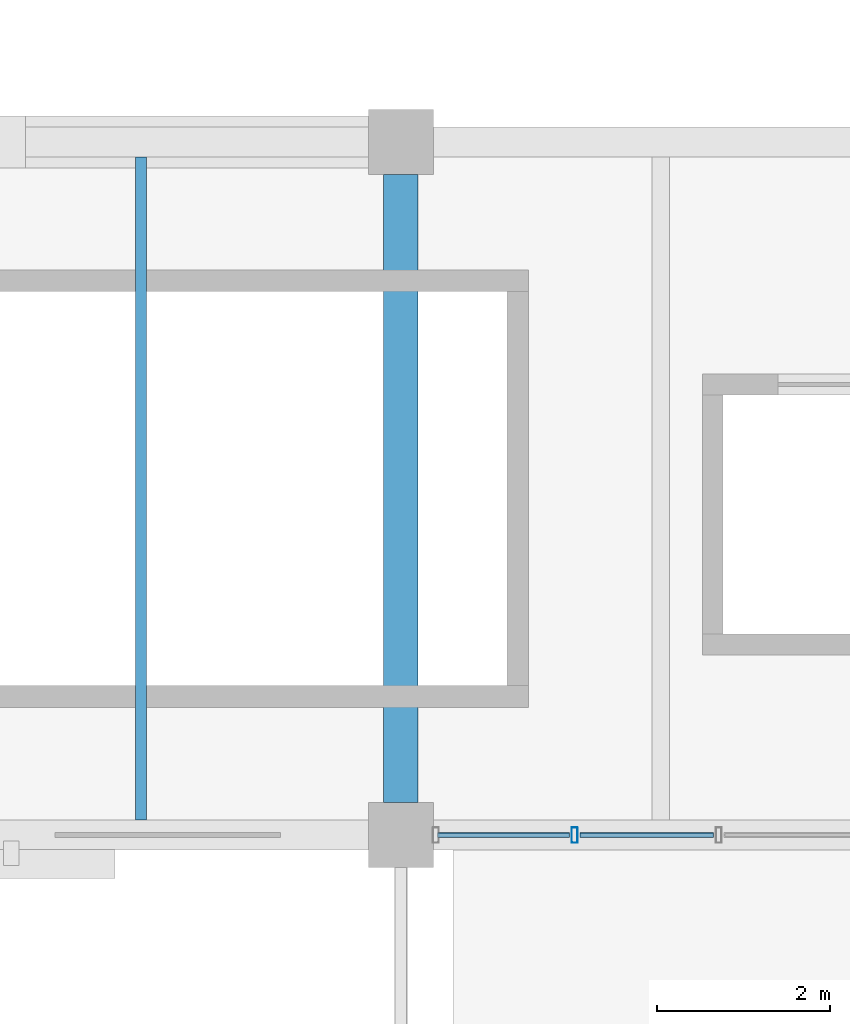
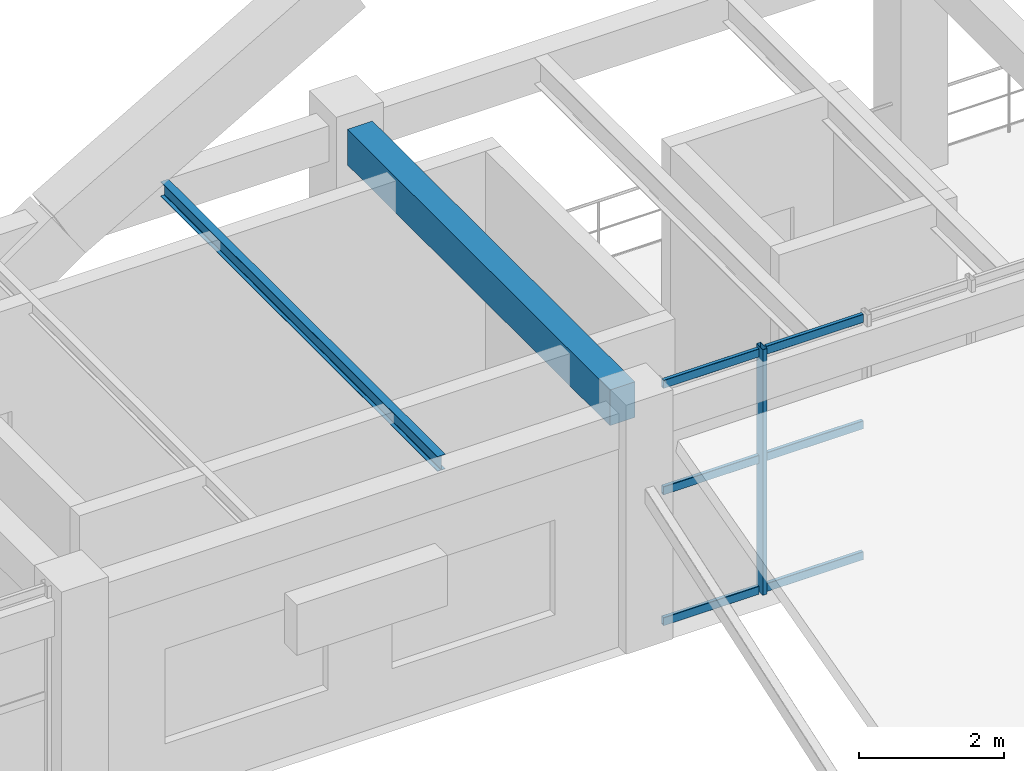
# One storey, part 27 of 148: 7 members, 2 beams, 1 element without a shape of its own.
"""IFC4 building model written with IfcOpenShell, lengths in metres."""

from ifc_helpers import new_model, si_unit, derived_unit, direction, frame, origin, origin_2d, place, context, subcontext, project, spatial, rectangle, hollow_rectangle, i_section, extrude, material, material_profile, profile_set, type_object, element, aggregate, save


model = new_model("IFC4")

# Units and contexts
model_context = context("Model", 3, precision=1e-05, world=origin(), true_north=direction((0.0, 1.0)))
body_context = subcontext(model_context, "Body", "Model", "MODEL_VIEW")
ifc_project = project(units=[si_unit("LENGTHUNIT", "METRE"), si_unit("AREAUNIT", "SQUARE_METRE"), si_unit("VOLUMEUNIT", "CUBIC_METRE"), si_unit("PLANEANGLEUNIT", "RADIAN"), si_unit("MASSUNIT", "GRAM", prefix="KILO"), derived_unit("THERMALTRANSMITTANCEUNIT", [(si_unit("MASSUNIT", "GRAM", prefix="KILO"), 1), (si_unit("TIMEUNIT", "SECOND"), -3), (si_unit("THERMODYNAMICTEMPERATUREUNIT", "KELVIN"), -1)])], contexts=[model_context])

# Site, building, storey
site_placement = place(None, origin())
site = spatial("IfcSite", under=ifc_project, at=site_placement, CompositionType="ELEMENT")
building_placement = place(site_placement, origin())
building = spatial("IfcBuilding", under=site, at=building_placement, Name="Zhenchuan Archway Interchange", CompositionType="ELEMENT")
storey_placement = place(building_placement, frame((0.0, 0.0, 10.199951171875)))
storey = spatial("IfcBuildingStorey", under=building, at=storey_placement, Name="L02", CompositionType="ELEMENT", Elevation=10.199951171875)

# Beam
ifc_material_1 = material(Name="Concrete C40", Category="concrete")
ifc_material_profile_1 = material_profile(ifc_material_1, rectangle(XDim=0.39990234375, YDim=0.60009765625, at=origin_2d()), Name="RC 400x600")
ifc_profile_set_1 = profile_set([ifc_material_profile_1], Name="Concrete C40")
beam_type_1 = type_object("IfcBeamType", Name="BM_RC_400x600", PredefinedType="BEAM", material=ifc_profile_set_1)
beam_1_placement = place(storey_placement, frame((45.0, 24.375, 3.64013671875), z_axis=(0.0, 1.0, 0.0), x_axis=(-1.0, 0.0, 0.0)))
element("IfcBeam", 1, at=beam_1_placement, inside=storey, type_object=beam_type_1, Name="Beam 6:D-E (L02)", PredefinedType="BEAM", context=body_context, shape_type="SweptSolid", body=[
    extrude(rectangle(XDim=0.39990234375, YDim=0.60009765625, at=origin_2d()), origin(), (0.0, 0.0, 1.0), 7.25),
])

# Curtain wall, members
ifc_material_2 = material(Name="Anodised Aluminium", Category="aluminium")
curtain_wall_type = type_object("IfcCurtainWallType", Name="CW_UNIT_1", PredefinedType="NOTDEFINED", material=ifc_material_2)
curtain_wall_placement = place(storey_placement, origin())
curtain_wall = element("IfcCurtainWall", 2, at=curtain_wall_placement, inside=storey, type_object=curtain_wall_type, Name="Unitised curtain wall CW:L02:124", PredefinedType="NOTDEFINED")
ifc_material_profile_2 = material_profile(ifc_material_2, hollow_rectangle(XDim=0.070068359375, YDim=0.179931640625, WallThickness=0.00390625, InnerFilletRadius=0.00390625, OuterFilletRadius=0.008056640625, at=origin_2d()), Name="ALU 180x70x4")
ifc_profile_set_2 = profile_set([ifc_material_profile_2], Name="Anodised Aluminium")
member_type_1 = type_object("IfcMemberType", Name="CW_MUL_180", PredefinedType="MULLION", material=ifc_profile_set_2)
member_1_placement = place(storey_placement, frame((47.005859375, 24.0, 0.0), z_axis=(0.0, 0.0, 1.0), x_axis=(1.0, 0.0, 0.0)))
member_1 = element("IfcMember", 3, at=member_1_placement, type_object=member_type_1, Name="CW:L02:124 mullion 4", PredefinedType="MULLION", context=body_context, shape_type="SweptSolid", body=[
    extrude(hollow_rectangle(XDim=0.070068359375, YDim=0.179931640625, WallThickness=0.00390625, InnerFilletRadius=0.00390625, OuterFilletRadius=0.008056640625, at=origin_2d()), origin(), (0.0, 0.0, 1.0), 4.14013671875),
])
ifc_material_profile_3 = material_profile(ifc_material_2, hollow_rectangle(XDim=0.06005859375, YDim=0.139892578125, WallThickness=0.00341796875, InnerFilletRadius=0.00341796875, OuterFilletRadius=0.007080078125, at=origin_2d()), Name="ALU 140x60x3.5")
ifc_profile_set_3 = profile_set([ifc_material_profile_3], Name="Anodised Aluminium")
member_type_2 = type_object("IfcMemberType", Name="CW_TRN_140", PredefinedType="USERDEFINED", material=ifc_profile_set_3)
member_2_placement = place(storey_placement, frame((48.608642578125, 24.0, 0.06005859375), z_axis=(-1.0, 0.0, 0.0), x_axis=(0.0, -1.0, 0.0)))
member_2 = element("IfcMember", 4, at=member_2_placement, type_object=member_type_2, Name="CW:L02:124 transom 3-1", ObjectType="TRANSOM", PredefinedType="USERDEFINED", context=body_context, shape_type="SweptSolid", body=[
    extrude(hollow_rectangle(XDim=0.06005859375, YDim=0.139892578125, WallThickness=0.00341796875, InnerFilletRadius=0.00341796875, OuterFilletRadius=0.007080078125, at=origin_2d()), origin(), (0.0, 0.0, 1.0), 1.542724609375),
])
member_3_placement = place(storey_placement, frame((48.608642578125, 24.0, 2.26611328125), z_axis=(-1.0, 0.0, 0.0), x_axis=(0.0, -1.0, 0.0)))
member_3 = element("IfcMember", 5, at=member_3_placement, type_object=member_type_2, Name="CW:L02:124 transom 3-2", ObjectType="TRANSOM", PredefinedType="USERDEFINED", context=body_context, shape_type="SweptSolid", body=[
    extrude(hollow_rectangle(XDim=0.06005859375, YDim=0.139892578125, WallThickness=0.00341796875, InnerFilletRadius=0.00341796875, OuterFilletRadius=0.007080078125, at=origin_2d()), origin(), (0.0, 0.0, 1.0), 1.542724609375),
])
member_4_placement = place(storey_placement, frame((48.608642578125, 24.0, 4.06005859375), z_axis=(-1.0, 0.0, 0.0), x_axis=(0.0, -1.0, 0.0)))
member_4 = element("IfcMember", 6, at=member_4_placement, type_object=member_type_2, Name="CW:L02:124 transom 3-3", ObjectType="TRANSOM", PredefinedType="USERDEFINED", context=body_context, shape_type="SweptSolid", body=[
    extrude(hollow_rectangle(XDim=0.06005859375, YDim=0.139892578125, WallThickness=0.00341796875, InnerFilletRadius=0.00341796875, OuterFilletRadius=0.007080078125, at=origin_2d()), origin(), (0.0, 0.0, 1.0), 1.542724609375),
])
member_5_placement = place(storey_placement, frame((46.94580078125, 24.0, 0.06005859375), z_axis=(-1.0, 0.0, 0.0), x_axis=(0.0, -1.0, 0.0)))
member_5 = element("IfcMember", 7, at=member_5_placement, type_object=member_type_2, Name="CW:L02:124 transom 4-1", ObjectType="TRANSOM", PredefinedType="USERDEFINED", context=body_context, shape_type="SweptSolid", body=[
    extrude(hollow_rectangle(XDim=0.06005859375, YDim=0.139892578125, WallThickness=0.00341796875, InnerFilletRadius=0.00341796875, OuterFilletRadius=0.007080078125, at=origin_2d()), origin(), (0.0, 0.0, 1.0), 1.522705078125),
])
member_6_placement = place(storey_placement, frame((46.94580078125, 24.0, 2.26611328125), z_axis=(-1.0, 0.0, 0.0), x_axis=(0.0, -1.0, 0.0)))
member_6 = element("IfcMember", 8, at=member_6_placement, type_object=member_type_2, Name="CW:L02:124 transom 4-2", ObjectType="TRANSOM", PredefinedType="USERDEFINED", context=body_context, shape_type="SweptSolid", body=[
    extrude(hollow_rectangle(XDim=0.06005859375, YDim=0.139892578125, WallThickness=0.00341796875, InnerFilletRadius=0.00341796875, OuterFilletRadius=0.007080078125, at=origin_2d()), origin(), (0.0, 0.0, 1.0), 1.522705078125),
])
member_7_placement = place(storey_placement, frame((46.94580078125, 24.0, 4.06005859375), z_axis=(-1.0, 0.0, 0.0), x_axis=(0.0, -1.0, 0.0)))
member_7 = element("IfcMember", 9, at=member_7_placement, type_object=member_type_2, Name="CW:L02:124 transom 4-3", ObjectType="TRANSOM", PredefinedType="USERDEFINED", context=body_context, shape_type="SweptSolid", body=[
    extrude(hollow_rectangle(XDim=0.06005859375, YDim=0.139892578125, WallThickness=0.00341796875, InnerFilletRadius=0.00341796875, OuterFilletRadius=0.007080078125, at=origin_2d()), origin(), (0.0, 0.0, 1.0), 1.522705078125),
])
aggregate(curtain_wall, [member_1, member_2, member_3, member_4, member_5, member_6, member_7])

# Beam
ifc_material_3 = material(Name="Steel Q355", Category="steel")
ifc_material_profile_4 = material_profile(ifc_material_3, i_section(OverallWidth=0.125, OverallDepth=0.25, WebThickness=0.006103515625, FlangeThickness=0.009033203125, FilletRadius=0.011962890625, at=origin_2d()), Name="HN 250x125")
ifc_profile_set_4 = profile_set([ifc_material_profile_4], Name="Steel Q355")
beam_type_2 = type_object("IfcBeamType", Name="JST_STL_HN250", PredefinedType="JOIST", material=ifc_profile_set_4)
beam_2_placement = place(storey_placement, frame((42.0, 24.175048828125, 3.81494140625), z_axis=(0.0, 1.0, 0.0), x_axis=(-1.0, 0.0, 0.0)))
element("IfcBeam", 10, at=beam_2_placement, inside=storey, type_object=beam_type_2, Name="Secondary joist 5-6/D-E #2 (L02)", PredefinedType="JOIST", context=body_context, shape_type="SweptSolid", body=[
    extrude(i_section(OverallWidth=0.125, OverallDepth=0.25, WebThickness=0.006103515625, FlangeThickness=0.009033203125, FilletRadius=0.011962890625, at=origin_2d()), origin(), (0.0, 0.0, 1.0), 7.64990234375),
])

save(model, "model.ifc")
